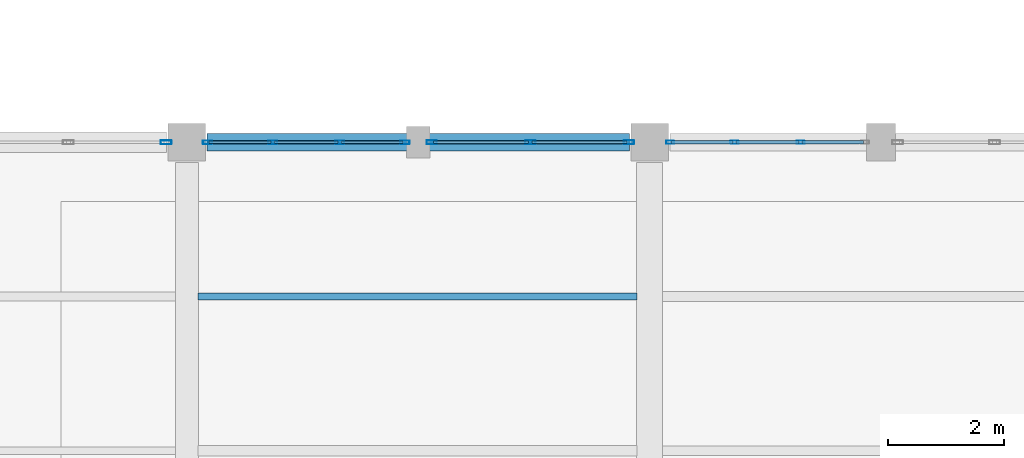
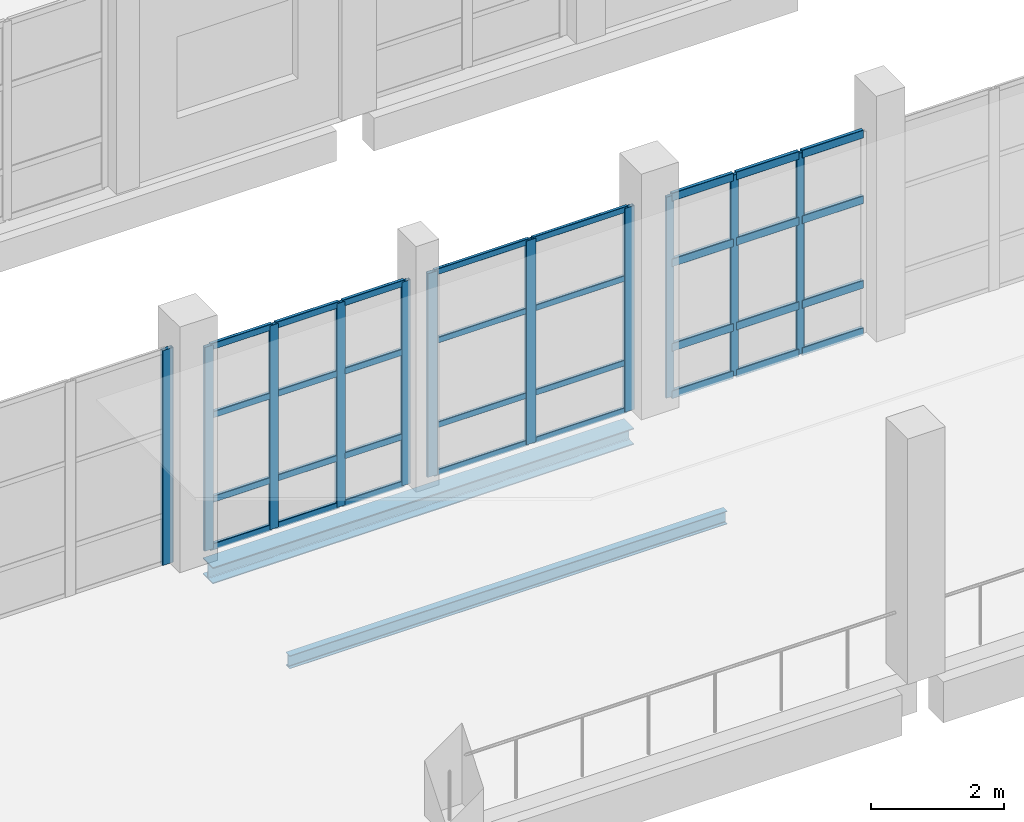
# One storey, part 24 of 183: 43 members, 2 beams, 4 elements without a shape of their own.
"""IFC4 building model written with IfcOpenShell, lengths in metres."""

from ifc_helpers import new_model, si_unit, direction, frame, origin, origin_2d, place, context, subcontext, project, spatial, hollow_rectangle, i_section, extrude, material, material_profile, profile_set, type_object, element, aggregate, save


model = new_model("IFC4")

# Units and contexts
model_context = context("Model", 3, precision=1e-05, world=origin(), true_north=direction((0.0, 1.0)))
body_context = subcontext(model_context, "Body", "Model", "MODEL_VIEW")
ifc_project = project(units=[si_unit("LENGTHUNIT", "METRE"), si_unit("AREAUNIT", "SQUARE_METRE"), si_unit("VOLUMEUNIT", "CUBIC_METRE"), si_unit("PLANEANGLEUNIT", "RADIAN"), si_unit("MASSUNIT", "GRAM", prefix="KILO")], contexts=[model_context])

# Site, building, storey
site_placement = place(None, origin())
site = spatial("IfcSite", under=ifc_project, at=site_placement, CompositionType="ELEMENT")
building_placement = place(site_placement, origin())
building = spatial("IfcBuilding", under=site, at=building_placement, Name="Luwemba Playhouse", CompositionType="ELEMENT")
storey_placement = place(building_placement, frame((0.0, 0.0, 4.800048828125)))
storey = spatial("IfcBuildingStorey", under=building, at=storey_placement, Name="L01", CompositionType="ELEMENT", Elevation=4.800048828125)

# Beams
ifc_material_1 = material(Name="Steel S355", Category="steel")
ifc_material_profile_1 = material_profile(ifc_material_1, i_section(OverallWidth=0.1201171875, OverallDepth=0.239990234375, WebThickness=0.006103515625, FlangeThickness=0.009765625, FilletRadius=0.014892578125, at=origin_2d()))
ifc_profile_set_1 = profile_set([ifc_material_profile_1], Name="Steel S355")
beam_type_1 = type_object("IfcBeamType", Name="BM-SJ03", PredefinedType="JOIST", material=ifc_profile_set_1)
beam_1_placement = place(storey_placement, frame((20.196044921875, 24.333251953125, -0.3701171875), z_axis=(1.0, 0.0, 0.0), x_axis=(0.0, 1.0, 0.0)))
element("IfcBeam", 1, at=beam_1_placement, inside=storey, type_object=beam_type_1, Name="L01 composite floor joist 0286", PredefinedType="JOIST", context=body_context, shape_type="SweptSolid", body=[
    extrude(i_section(OverallWidth=0.1201171875, OverallDepth=0.239990234375, WebThickness=0.006103515625, FlangeThickness=0.009765625, FilletRadius=0.014892578125, at=origin_2d()), origin(), (0.0, 0.0, 1.0), 7.5830078125),
])
ifc_material_profile_2 = material_profile(ifc_material_1, i_section(OverallWidth=0.300048828125, OverallDepth=0.300048828125, WebThickness=0.010986328125, FlangeThickness=0.01904296875, FilletRadius=0.027099609375, at=origin_2d()))
ifc_profile_set_2 = profile_set([ifc_material_profile_2], Name="Steel S355")
beam_type_2 = type_object("IfcBeamType", Name="BM-SSP1", PredefinedType="SPANDREL", material=ifc_profile_set_2)
beam_2_placement = place(storey_placement, frame((20.35009765625, 27.0, -0.400146484375), z_axis=(1.0, 0.0, 0.0), x_axis=(0.0, 1.0, 0.0)))
element("IfcBeam", 2, at=beam_2_placement, inside=storey, type_object=beam_type_2, Name="L01 grid girder 0491", PredefinedType="SPANDREL", context=body_context, shape_type="SweptSolid", body=[
    extrude(i_section(OverallWidth=0.300048828125, OverallDepth=0.300048828125, WebThickness=0.010986328125, FlangeThickness=0.01904296875, FilletRadius=0.027099609375, at=origin_2d()), origin(), (0.0, 0.0, 1.0), 7.2998046875),
])

# Curtain wall, members
ifc_material_2 = material(Name="Solar-control double glazing", Category="glass")
curtain_wall_type_1 = type_object("IfcCurtainWallType", Name="CW-CW95", PredefinedType="USERDEFINED", material=ifc_material_2)
curtain_wall_1_placement = place(storey_placement, origin())
curtain_wall_1 = element("IfcCurtainWall", 3, at=curtain_wall_1_placement, inside=storey, type_object=curtain_wall_type_1, Name="L01 V5W unitised curtain wall 126", ObjectType="UNITISED GLAZING", PredefinedType="USERDEFINED")
ifc_material_3 = material(Name="Aluminium 6063-T6", Category="aluminium")
ifc_material_profile_3 = material_profile(ifc_material_3, hollow_rectangle(XDim=0.06005859375, YDim=0.159912109375, WallThickness=0.00390625, InnerFilletRadius=0.006103515625, OuterFilletRadius=0.010009765625, at=origin_2d()))
ifc_profile_set_3 = profile_set([ifc_material_profile_3], Name="Aluminium 6063-T6")
member_type_1 = type_object("IfcMemberType", Name="CWM-M1", PredefinedType="MULLION", material=ifc_profile_set_3)
member_1_placement = place(storey_placement, frame((20.35498046875, 27.0, 0.0), z_axis=(0.0, 0.0, 1.0), x_axis=(0.0, 1.0, 0.0)))
member_1 = element("IfcMember", 4, at=member_1_placement, type_object=member_type_1, Name="CW95 mullion 1", PredefinedType="MULLION", context=body_context, shape_type="SweptSolid", body=[
    extrude(hollow_rectangle(XDim=0.06005859375, YDim=0.159912109375, WallThickness=0.00390625, InnerFilletRadius=0.006103515625, OuterFilletRadius=0.010009765625, at=origin_2d()), origin(), (0.0, 0.0, 1.0), 3.73486328125),
])
member_2_placement = place(storey_placement, frame((21.4833984375, 27.0, 0.0), z_axis=(0.0, 0.0, 1.0), x_axis=(0.0, 1.0, 0.0)))
member_2 = element("IfcMember", 5, at=member_2_placement, type_object=member_type_1, Name="CW95 mullion 2", PredefinedType="MULLION", context=body_context, shape_type="SweptSolid", body=[
    extrude(hollow_rectangle(XDim=0.06005859375, YDim=0.159912109375, WallThickness=0.00390625, InnerFilletRadius=0.006103515625, OuterFilletRadius=0.010009765625, at=origin_2d()), origin(), (0.0, 0.0, 1.0), 3.73486328125),
])
member_3_placement = place(storey_placement, frame((22.6416015625, 27.0, 0.0), z_axis=(0.0, 0.0, 1.0), x_axis=(0.0, 1.0, 0.0)))
member_3 = element("IfcMember", 6, at=member_3_placement, type_object=member_type_1, Name="CW95 mullion 3", PredefinedType="MULLION", context=body_context, shape_type="SweptSolid", body=[
    extrude(hollow_rectangle(XDim=0.06005859375, YDim=0.159912109375, WallThickness=0.00390625, InnerFilletRadius=0.006103515625, OuterFilletRadius=0.010009765625, at=origin_2d()), origin(), (0.0, 0.0, 1.0), 3.73486328125),
])
member_4_placement = place(storey_placement, frame((23.77001953125, 27.0, 0.0), z_axis=(0.0, 0.0, 1.0), x_axis=(0.0, 1.0, 0.0)))
member_4 = element("IfcMember", 7, at=member_4_placement, type_object=member_type_1, Name="CW95 mullion 4", PredefinedType="MULLION", context=body_context, shape_type="SweptSolid", body=[
    extrude(hollow_rectangle(XDim=0.06005859375, YDim=0.159912109375, WallThickness=0.00390625, InnerFilletRadius=0.006103515625, OuterFilletRadius=0.010009765625, at=origin_2d()), origin(), (0.0, 0.0, 1.0), 3.73486328125),
])

curtain_wall_type_2 = type_object("IfcCurtainWallType", Name="CW-CW96", PredefinedType="USERDEFINED", material=ifc_material_2)
curtain_wall_2_placement = place(storey_placement, origin())
curtain_wall_2 = element("IfcCurtainWall", 8, at=curtain_wall_2_placement, inside=storey, type_object=curtain_wall_type_2, Name="L01 V5W unitised curtain wall 127", ObjectType="UNITISED GLAZING", PredefinedType="USERDEFINED")
ifc_material_profile_4 = material_profile(ifc_material_3, hollow_rectangle(XDim=0.06494140625, YDim=0.179931640625, WallThickness=0.00439453125, InnerFilletRadius=0.0068359375, OuterFilletRadius=0.01123046875, at=origin_2d()))
ifc_profile_set_4 = profile_set([ifc_material_profile_4], Name="Aluminium 6063-T6")
member_type_2 = type_object("IfcMemberType", Name="CWM-M2", PredefinedType="MULLION", material=ifc_profile_set_4)
member_5_placement = place(storey_placement, frame((24.232421875, 27.0, 0.0), z_axis=(0.0, 0.0, 1.0), x_axis=(0.0, 1.0, 0.0)))
member_5 = element("IfcMember", 9, at=member_5_placement, type_object=member_type_2, Name="CW96 mullion 1", PredefinedType="MULLION", context=body_context, shape_type="SweptSolid", body=[
    extrude(hollow_rectangle(XDim=0.06494140625, YDim=0.179931640625, WallThickness=0.00439453125, InnerFilletRadius=0.0068359375, OuterFilletRadius=0.01123046875, at=origin_2d()), origin(), (0.0, 0.0, 1.0), 3.73486328125),
])
member_6_placement = place(storey_placement, frame((25.9375, 27.0, 0.0), z_axis=(0.0, 0.0, 1.0), x_axis=(0.0, 1.0, 0.0)))
member_6 = element("IfcMember", 10, at=member_6_placement, type_object=member_type_2, Name="CW96 mullion 2", PredefinedType="MULLION", context=body_context, shape_type="SweptSolid", body=[
    extrude(hollow_rectangle(XDim=0.06494140625, YDim=0.179931640625, WallThickness=0.00439453125, InnerFilletRadius=0.0068359375, OuterFilletRadius=0.01123046875, at=origin_2d()), origin(), (0.0, 0.0, 1.0), 3.73486328125),
])
member_7_placement = place(storey_placement, frame((27.642578125, 27.0, 0.0), z_axis=(0.0, 0.0, 1.0), x_axis=(0.0, 1.0, 0.0)))
member_7 = element("IfcMember", 11, at=member_7_placement, type_object=member_type_2, Name="CW96 mullion 3", PredefinedType="MULLION", context=body_context, shape_type="SweptSolid", body=[
    extrude(hollow_rectangle(XDim=0.06494140625, YDim=0.179931640625, WallThickness=0.00439453125, InnerFilletRadius=0.0068359375, OuterFilletRadius=0.01123046875, at=origin_2d()), origin(), (0.0, 0.0, 1.0), 3.73486328125),
])

curtain_wall_type_3 = type_object("IfcCurtainWallType", Name="CW-CW97", PredefinedType="USERDEFINED", material=ifc_material_2)
curtain_wall_3_placement = place(storey_placement, origin())
curtain_wall_3 = element("IfcCurtainWall", 12, at=curtain_wall_3_placement, inside=storey, type_object=curtain_wall_type_3, Name="L01 V5W unitised curtain wall 128", ObjectType="UNITISED GLAZING", PredefinedType="USERDEFINED")
ifc_material_profile_5 = material_profile(ifc_material_3, hollow_rectangle(XDim=0.054931640625, YDim=0.139892578125, WallThickness=0.00390625, InnerFilletRadius=0.006103515625, OuterFilletRadius=0.010009765625, at=origin_2d()))
ifc_profile_set_5 = profile_set([ifc_material_profile_5], Name="Aluminium 6063-T6")
member_type_3 = type_object("IfcMemberType", Name="CWM-M3", PredefinedType="MULLION", material=ifc_profile_set_5)
member_8_placement = place(storey_placement, frame((28.3525390625, 27.0, 0.0), z_axis=(0.0, 0.0, 1.0), x_axis=(0.0, 1.0, 0.0)))
member_8 = element("IfcMember", 13, at=member_8_placement, type_object=member_type_3, Name="CW97 mullion 1", PredefinedType="MULLION", context=body_context, shape_type="SweptSolid", body=[
    extrude(hollow_rectangle(XDim=0.054931640625, YDim=0.139892578125, WallThickness=0.00390625, InnerFilletRadius=0.006103515625, OuterFilletRadius=0.010009765625, at=origin_2d()), origin(), (0.0, 0.0, 1.0), 3.68505859375),
])
member_9_placement = place(storey_placement, frame((29.466552734375, 27.0, 0.0), z_axis=(0.0, 0.0, 1.0), x_axis=(0.0, 1.0, 0.0)))
member_9 = element("IfcMember", 14, at=member_9_placement, type_object=member_type_3, Name="CW97 mullion 2", PredefinedType="MULLION", context=body_context, shape_type="SweptSolid", body=[
    extrude(hollow_rectangle(XDim=0.054931640625, YDim=0.139892578125, WallThickness=0.00390625, InnerFilletRadius=0.006103515625, OuterFilletRadius=0.010009765625, at=origin_2d()), origin(), (0.0, 0.0, 1.0), 3.68505859375),
])
member_10_placement = place(storey_placement, frame((30.6083984375, 27.0, 0.0), z_axis=(0.0, 0.0, 1.0), x_axis=(0.0, 1.0, 0.0)))
member_10 = element("IfcMember", 15, at=member_10_placement, type_object=member_type_3, Name="CW97 mullion 3", PredefinedType="MULLION", context=body_context, shape_type="SweptSolid", body=[
    extrude(hollow_rectangle(XDim=0.054931640625, YDim=0.139892578125, WallThickness=0.00390625, InnerFilletRadius=0.006103515625, OuterFilletRadius=0.010009765625, at=origin_2d()), origin(), (0.0, 0.0, 1.0), 3.68505859375),
])

# Curtain wall, member
curtain_wall_type_4 = type_object("IfcCurtainWallType", Name="CW-CW63", PredefinedType="USERDEFINED", material=ifc_material_2)
curtain_wall_4_placement = place(storey_placement, origin())
curtain_wall_4 = element("IfcCurtainWall", 16, at=curtain_wall_4_placement, inside=storey, type_object=curtain_wall_type_4, Name="L01 V5W unitised curtain wall 125", ObjectType="UNITISED GLAZING", PredefinedType="USERDEFINED")
ifc_material_profile_6 = material_profile(ifc_material_3, hollow_rectangle(XDim=0.070068359375, YDim=0.18994140625, WallThickness=0.0048828125, InnerFilletRadius=0.007568359375, OuterFilletRadius=0.012451171875, at=origin_2d()))
ifc_profile_set_6 = profile_set([ifc_material_profile_6], Name="Aluminium 6063-T6")
member_type_4 = type_object("IfcMemberType", Name="CWM-M4", PredefinedType="MULLION", material=ifc_profile_set_6)
member_11_placement = place(storey_placement, frame((19.639892578125, 27.0, 0.0), z_axis=(0.0, 0.0, 1.0), x_axis=(0.0, 1.0, 0.0)))
member_11 = element("IfcMember", 17, at=member_11_placement, type_object=member_type_4, Name="CW63 mullion 3", PredefinedType="MULLION", context=body_context, shape_type="SweptSolid", body=[
    extrude(hollow_rectangle(XDim=0.070068359375, YDim=0.18994140625, WallThickness=0.0048828125, InnerFilletRadius=0.007568359375, OuterFilletRadius=0.012451171875, at=origin_2d()), origin(), (0.0, 0.0, 1.0), 3.93505859375),
])
aggregate(curtain_wall_4, [member_11])

# Member
ifc_material_profile_7 = material_profile(ifc_material_3, hollow_rectangle(XDim=0.06005859375, YDim=0.1201171875, WallThickness=0.00390625, InnerFilletRadius=0.006103515625, OuterFilletRadius=0.010009765625, at=origin_2d()))
ifc_profile_set_7 = profile_set([ifc_material_profile_7], Name="Aluminium 6063-T6")
member_type_5 = type_object("IfcMemberType", Name="CWT-T1", PredefinedType="USERDEFINED", material=ifc_profile_set_7)
member_12_placement = place(storey_placement, frame((20.385009765625, 27.0, 0.030029296875), z_axis=(1.0, 0.0, 0.0), x_axis=(0.0, 1.0, 0.0)))
member_12 = element("IfcMember", 18, at=member_12_placement, type_object=member_type_5, Name="CW95 transom 1.1", ObjectType="TRANSOM", PredefinedType="USERDEFINED", context=body_context, shape_type="SweptSolid", body=[
    extrude(hollow_rectangle(XDim=0.06005859375, YDim=0.1201171875, WallThickness=0.00390625, InnerFilletRadius=0.006103515625, OuterFilletRadius=0.010009765625, at=origin_2d()), origin(), (0.0, 0.0, 1.0), 1.068359375),
])

member_13_placement = place(storey_placement, frame((20.385009765625, 27.0, 0.89990234375), z_axis=(1.0, 0.0, 0.0), x_axis=(0.0, 1.0, 0.0)))
member_13 = element("IfcMember", 19, at=member_13_placement, type_object=member_type_5, Name="CW95 transom 1.2", ObjectType="TRANSOM", PredefinedType="USERDEFINED", context=body_context, shape_type="SweptSolid", body=[
    extrude(hollow_rectangle(XDim=0.06005859375, YDim=0.1201171875, WallThickness=0.00390625, InnerFilletRadius=0.006103515625, OuterFilletRadius=0.010009765625, at=origin_2d()), origin(), (0.0, 0.0, 1.0), 1.068359375),
])

member_14_placement = place(storey_placement, frame((20.385009765625, 27.0, 2.449951171875), z_axis=(1.0, 0.0, 0.0), x_axis=(0.0, 1.0, 0.0)))
member_14 = element("IfcMember", 20, at=member_14_placement, type_object=member_type_5, Name="CW95 transom 1.3", ObjectType="TRANSOM", PredefinedType="USERDEFINED", context=body_context, shape_type="SweptSolid", body=[
    extrude(hollow_rectangle(XDim=0.06005859375, YDim=0.1201171875, WallThickness=0.00390625, InnerFilletRadius=0.006103515625, OuterFilletRadius=0.010009765625, at=origin_2d()), origin(), (0.0, 0.0, 1.0), 1.068359375),
])

member_15_placement = place(storey_placement, frame((20.385009765625, 27.0, 3.704833984375), z_axis=(1.0, 0.0, 0.0), x_axis=(0.0, 1.0, 0.0)))
member_15 = element("IfcMember", 21, at=member_15_placement, type_object=member_type_5, Name="CW95 transom 1.4", ObjectType="TRANSOM", PredefinedType="USERDEFINED", context=body_context, shape_type="SweptSolid", body=[
    extrude(hollow_rectangle(XDim=0.06005859375, YDim=0.1201171875, WallThickness=0.00390625, InnerFilletRadius=0.006103515625, OuterFilletRadius=0.010009765625, at=origin_2d()), origin(), (0.0, 0.0, 1.0), 1.068359375),
])

member_16_placement = place(storey_placement, frame((21.513427734375, 27.0, 0.030029296875), z_axis=(1.0, 0.0, 0.0), x_axis=(0.0, 1.0, 0.0)))
member_16 = element("IfcMember", 22, at=member_16_placement, type_object=member_type_5, Name="CW95 transom 2.1", ObjectType="TRANSOM", PredefinedType="USERDEFINED", context=body_context, shape_type="SweptSolid", body=[
    extrude(hollow_rectangle(XDim=0.06005859375, YDim=0.1201171875, WallThickness=0.00390625, InnerFilletRadius=0.006103515625, OuterFilletRadius=0.010009765625, at=origin_2d()), origin(), (0.0, 0.0, 1.0), 1.09814453125),
])

member_17_placement = place(storey_placement, frame((21.513427734375, 27.0, 0.89990234375), z_axis=(1.0, 0.0, 0.0), x_axis=(0.0, 1.0, 0.0)))
member_17 = element("IfcMember", 23, at=member_17_placement, type_object=member_type_5, Name="CW95 transom 2.2", ObjectType="TRANSOM", PredefinedType="USERDEFINED", context=body_context, shape_type="SweptSolid", body=[
    extrude(hollow_rectangle(XDim=0.06005859375, YDim=0.1201171875, WallThickness=0.00390625, InnerFilletRadius=0.006103515625, OuterFilletRadius=0.010009765625, at=origin_2d()), origin(), (0.0, 0.0, 1.0), 1.09814453125),
])

member_18_placement = place(storey_placement, frame((21.513427734375, 27.0, 2.449951171875), z_axis=(1.0, 0.0, 0.0), x_axis=(0.0, 1.0, 0.0)))
member_18 = element("IfcMember", 24, at=member_18_placement, type_object=member_type_5, Name="CW95 transom 2.3", ObjectType="TRANSOM", PredefinedType="USERDEFINED", context=body_context, shape_type="SweptSolid", body=[
    extrude(hollow_rectangle(XDim=0.06005859375, YDim=0.1201171875, WallThickness=0.00390625, InnerFilletRadius=0.006103515625, OuterFilletRadius=0.010009765625, at=origin_2d()), origin(), (0.0, 0.0, 1.0), 1.09814453125),
])

member_19_placement = place(storey_placement, frame((21.513427734375, 27.0, 3.704833984375), z_axis=(1.0, 0.0, 0.0), x_axis=(0.0, 1.0, 0.0)))
member_19 = element("IfcMember", 25, at=member_19_placement, type_object=member_type_5, Name="CW95 transom 2.4", ObjectType="TRANSOM", PredefinedType="USERDEFINED", context=body_context, shape_type="SweptSolid", body=[
    extrude(hollow_rectangle(XDim=0.06005859375, YDim=0.1201171875, WallThickness=0.00390625, InnerFilletRadius=0.006103515625, OuterFilletRadius=0.010009765625, at=origin_2d()), origin(), (0.0, 0.0, 1.0), 1.09814453125),
])

member_20_placement = place(storey_placement, frame((22.671630859375, 27.0, 0.030029296875), z_axis=(1.0, 0.0, 0.0), x_axis=(0.0, 1.0, 0.0)))
member_20 = element("IfcMember", 26, at=member_20_placement, type_object=member_type_5, Name="CW95 transom 3.1", ObjectType="TRANSOM", PredefinedType="USERDEFINED", context=body_context, shape_type="SweptSolid", body=[
    extrude(hollow_rectangle(XDim=0.06005859375, YDim=0.1201171875, WallThickness=0.00390625, InnerFilletRadius=0.006103515625, OuterFilletRadius=0.010009765625, at=origin_2d()), origin(), (0.0, 0.0, 1.0), 1.068359375),
])

member_21_placement = place(storey_placement, frame((22.671630859375, 27.0, 0.89990234375), z_axis=(1.0, 0.0, 0.0), x_axis=(0.0, 1.0, 0.0)))
member_21 = element("IfcMember", 27, at=member_21_placement, type_object=member_type_5, Name="CW95 transom 3.2", ObjectType="TRANSOM", PredefinedType="USERDEFINED", context=body_context, shape_type="SweptSolid", body=[
    extrude(hollow_rectangle(XDim=0.06005859375, YDim=0.1201171875, WallThickness=0.00390625, InnerFilletRadius=0.006103515625, OuterFilletRadius=0.010009765625, at=origin_2d()), origin(), (0.0, 0.0, 1.0), 1.068359375),
])

member_22_placement = place(storey_placement, frame((22.671630859375, 27.0, 2.449951171875), z_axis=(1.0, 0.0, 0.0), x_axis=(0.0, 1.0, 0.0)))
member_22 = element("IfcMember", 28, at=member_22_placement, type_object=member_type_5, Name="CW95 transom 3.3", ObjectType="TRANSOM", PredefinedType="USERDEFINED", context=body_context, shape_type="SweptSolid", body=[
    extrude(hollow_rectangle(XDim=0.06005859375, YDim=0.1201171875, WallThickness=0.00390625, InnerFilletRadius=0.006103515625, OuterFilletRadius=0.010009765625, at=origin_2d()), origin(), (0.0, 0.0, 1.0), 1.068359375),
])

member_23_placement = place(storey_placement, frame((22.671630859375, 27.0, 3.704833984375), z_axis=(1.0, 0.0, 0.0), x_axis=(0.0, 1.0, 0.0)))
member_23 = element("IfcMember", 29, at=member_23_placement, type_object=member_type_5, Name="CW95 transom 3.4", ObjectType="TRANSOM", PredefinedType="USERDEFINED", context=body_context, shape_type="SweptSolid", body=[
    extrude(hollow_rectangle(XDim=0.06005859375, YDim=0.1201171875, WallThickness=0.00390625, InnerFilletRadius=0.006103515625, OuterFilletRadius=0.010009765625, at=origin_2d()), origin(), (0.0, 0.0, 1.0), 1.068359375),
])

aggregate(curtain_wall_1, [member_1, member_2, member_3, member_4, member_12, member_13, member_14, member_15, member_16, member_17, member_18, member_19, member_20, member_21, member_22, member_23])

ifc_material_profile_8 = material_profile(ifc_material_3, hollow_rectangle(XDim=0.054931640625, YDim=0.110107421875, WallThickness=0.00341796875, InnerFilletRadius=0.00537109375, OuterFilletRadius=0.0087890625, at=origin_2d()))
ifc_profile_set_8 = profile_set([ifc_material_profile_8], Name="Aluminium 6063-T6")
member_type_6 = type_object("IfcMemberType", Name="CWT-T2", PredefinedType="USERDEFINED", material=ifc_profile_set_8)
member_24_placement = place(storey_placement, frame((24.264892578125, 27.0, 0.02734375), z_axis=(1.0, 0.0, 0.0), x_axis=(0.0, 1.0, 0.0)))
member_24 = element("IfcMember", 30, at=member_24_placement, type_object=member_type_6, Name="CW96 transom 1.1", ObjectType="TRANSOM", PredefinedType="USERDEFINED", context=body_context, shape_type="SweptSolid", body=[
    extrude(hollow_rectangle(XDim=0.054931640625, YDim=0.110107421875, WallThickness=0.00341796875, InnerFilletRadius=0.00537109375, OuterFilletRadius=0.0087890625, at=origin_2d()), origin(), (0.0, 0.0, 1.0), 1.64013671875),
])

member_25_placement = place(storey_placement, frame((24.264892578125, 27.0, 0.89990234375), z_axis=(1.0, 0.0, 0.0), x_axis=(0.0, 1.0, 0.0)))
member_25 = element("IfcMember", 31, at=member_25_placement, type_object=member_type_6, Name="CW96 transom 1.2", ObjectType="TRANSOM", PredefinedType="USERDEFINED", context=body_context, shape_type="SweptSolid", body=[
    extrude(hollow_rectangle(XDim=0.054931640625, YDim=0.110107421875, WallThickness=0.00341796875, InnerFilletRadius=0.00537109375, OuterFilletRadius=0.0087890625, at=origin_2d()), origin(), (0.0, 0.0, 1.0), 1.64013671875),
])

member_26_placement = place(storey_placement, frame((24.264892578125, 27.0, 2.449951171875), z_axis=(1.0, 0.0, 0.0), x_axis=(0.0, 1.0, 0.0)))
member_26 = element("IfcMember", 32, at=member_26_placement, type_object=member_type_6, Name="CW96 transom 1.3", ObjectType="TRANSOM", PredefinedType="USERDEFINED", context=body_context, shape_type="SweptSolid", body=[
    extrude(hollow_rectangle(XDim=0.054931640625, YDim=0.110107421875, WallThickness=0.00341796875, InnerFilletRadius=0.00537109375, OuterFilletRadius=0.0087890625, at=origin_2d()), origin(), (0.0, 0.0, 1.0), 1.64013671875),
])

member_27_placement = place(storey_placement, frame((24.264892578125, 27.0, 3.70751953125), z_axis=(1.0, 0.0, 0.0), x_axis=(0.0, 1.0, 0.0)))
member_27 = element("IfcMember", 33, at=member_27_placement, type_object=member_type_6, Name="CW96 transom 1.4", ObjectType="TRANSOM", PredefinedType="USERDEFINED", context=body_context, shape_type="SweptSolid", body=[
    extrude(hollow_rectangle(XDim=0.054931640625, YDim=0.110107421875, WallThickness=0.00341796875, InnerFilletRadius=0.00537109375, OuterFilletRadius=0.0087890625, at=origin_2d()), origin(), (0.0, 0.0, 1.0), 1.64013671875),
])

member_28_placement = place(storey_placement, frame((25.969970703125, 27.0, 0.02734375), z_axis=(1.0, 0.0, 0.0), x_axis=(0.0, 1.0, 0.0)))
member_28 = element("IfcMember", 34, at=member_28_placement, type_object=member_type_6, Name="CW96 transom 2.1", ObjectType="TRANSOM", PredefinedType="USERDEFINED", context=body_context, shape_type="SweptSolid", body=[
    extrude(hollow_rectangle(XDim=0.054931640625, YDim=0.110107421875, WallThickness=0.00341796875, InnerFilletRadius=0.00537109375, OuterFilletRadius=0.0087890625, at=origin_2d()), origin(), (0.0, 0.0, 1.0), 1.64013671875),
])

member_29_placement = place(storey_placement, frame((25.969970703125, 27.0, 0.89990234375), z_axis=(1.0, 0.0, 0.0), x_axis=(0.0, 1.0, 0.0)))
member_29 = element("IfcMember", 35, at=member_29_placement, type_object=member_type_6, Name="CW96 transom 2.2", ObjectType="TRANSOM", PredefinedType="USERDEFINED", context=body_context, shape_type="SweptSolid", body=[
    extrude(hollow_rectangle(XDim=0.054931640625, YDim=0.110107421875, WallThickness=0.00341796875, InnerFilletRadius=0.00537109375, OuterFilletRadius=0.0087890625, at=origin_2d()), origin(), (0.0, 0.0, 1.0), 1.64013671875),
])

member_30_placement = place(storey_placement, frame((25.969970703125, 27.0, 2.449951171875), z_axis=(1.0, 0.0, 0.0), x_axis=(0.0, 1.0, 0.0)))
member_30 = element("IfcMember", 36, at=member_30_placement, type_object=member_type_6, Name="CW96 transom 2.3", ObjectType="TRANSOM", PredefinedType="USERDEFINED", context=body_context, shape_type="SweptSolid", body=[
    extrude(hollow_rectangle(XDim=0.054931640625, YDim=0.110107421875, WallThickness=0.00341796875, InnerFilletRadius=0.00537109375, OuterFilletRadius=0.0087890625, at=origin_2d()), origin(), (0.0, 0.0, 1.0), 1.64013671875),
])

member_31_placement = place(storey_placement, frame((25.969970703125, 27.0, 3.70751953125), z_axis=(1.0, 0.0, 0.0), x_axis=(0.0, 1.0, 0.0)))
member_31 = element("IfcMember", 37, at=member_31_placement, type_object=member_type_6, Name="CW96 transom 2.4", ObjectType="TRANSOM", PredefinedType="USERDEFINED", context=body_context, shape_type="SweptSolid", body=[
    extrude(hollow_rectangle(XDim=0.054931640625, YDim=0.110107421875, WallThickness=0.00341796875, InnerFilletRadius=0.00537109375, OuterFilletRadius=0.0087890625, at=origin_2d()), origin(), (0.0, 0.0, 1.0), 1.64013671875),
])

aggregate(curtain_wall_2, [member_5, member_6, member_7, member_24, member_25, member_26, member_27, member_28, member_29, member_30, member_31])

ifc_material_profile_9 = material_profile(ifc_material_3, hollow_rectangle(XDim=0.06494140625, YDim=0.14990234375, WallThickness=0.00390625, InnerFilletRadius=0.006103515625, OuterFilletRadius=0.010009765625, at=origin_2d()))
ifc_profile_set_9 = profile_set([ifc_material_profile_9], Name="Aluminium 6063-T6")
member_type_7 = type_object("IfcMemberType", Name="CWT-T3", PredefinedType="USERDEFINED", material=ifc_profile_set_9)
member_32_placement = place(storey_placement, frame((28.3798828125, 27.0, 0.032470703125), z_axis=(1.0, 0.0, 0.0), x_axis=(0.0, 1.0, 0.0)))
member_32 = element("IfcMember", 38, at=member_32_placement, type_object=member_type_7, Name="CW97 transom 1.1", ObjectType="TRANSOM", PredefinedType="USERDEFINED", context=body_context, shape_type="SweptSolid", body=[
    extrude(hollow_rectangle(XDim=0.06494140625, YDim=0.14990234375, WallThickness=0.00390625, InnerFilletRadius=0.006103515625, OuterFilletRadius=0.010009765625, at=origin_2d()), origin(), (0.0, 0.0, 1.0), 1.059326171875),
])

member_33_placement = place(storey_placement, frame((28.3798828125, 27.0, 0.89990234375), z_axis=(1.0, 0.0, 0.0), x_axis=(0.0, 1.0, 0.0)))
member_33 = element("IfcMember", 39, at=member_33_placement, type_object=member_type_7, Name="CW97 transom 1.2", ObjectType="TRANSOM", PredefinedType="USERDEFINED", context=body_context, shape_type="SweptSolid", body=[
    extrude(hollow_rectangle(XDim=0.06494140625, YDim=0.14990234375, WallThickness=0.00390625, InnerFilletRadius=0.006103515625, OuterFilletRadius=0.010009765625, at=origin_2d()), origin(), (0.0, 0.0, 1.0), 1.059326171875),
])

member_34_placement = place(storey_placement, frame((28.3798828125, 27.0, 2.449951171875), z_axis=(1.0, 0.0, 0.0), x_axis=(0.0, 1.0, 0.0)))
member_34 = element("IfcMember", 40, at=member_34_placement, type_object=member_type_7, Name="CW97 transom 1.3", ObjectType="TRANSOM", PredefinedType="USERDEFINED", context=body_context, shape_type="SweptSolid", body=[
    extrude(hollow_rectangle(XDim=0.06494140625, YDim=0.14990234375, WallThickness=0.00390625, InnerFilletRadius=0.006103515625, OuterFilletRadius=0.010009765625, at=origin_2d()), origin(), (0.0, 0.0, 1.0), 1.059326171875),
])

member_35_placement = place(storey_placement, frame((28.3798828125, 27.0, 3.65234375), z_axis=(1.0, 0.0, 0.0), x_axis=(0.0, 1.0, 0.0)))
member_35 = element("IfcMember", 41, at=member_35_placement, type_object=member_type_7, Name="CW97 transom 1.4", ObjectType="TRANSOM", PredefinedType="USERDEFINED", context=body_context, shape_type="SweptSolid", body=[
    extrude(hollow_rectangle(XDim=0.06494140625, YDim=0.14990234375, WallThickness=0.00390625, InnerFilletRadius=0.006103515625, OuterFilletRadius=0.010009765625, at=origin_2d()), origin(), (0.0, 0.0, 1.0), 1.059326171875),
])

member_36_placement = place(storey_placement, frame((29.494140625, 27.0, 0.032470703125), z_axis=(1.0, 0.0, 0.0), x_axis=(0.0, 1.0, 0.0)))
member_36 = element("IfcMember", 42, at=member_36_placement, type_object=member_type_7, Name="CW97 transom 2.1", ObjectType="TRANSOM", PredefinedType="USERDEFINED", context=body_context, shape_type="SweptSolid", body=[
    extrude(hollow_rectangle(XDim=0.06494140625, YDim=0.14990234375, WallThickness=0.00390625, InnerFilletRadius=0.006103515625, OuterFilletRadius=0.010009765625, at=origin_2d()), origin(), (0.0, 0.0, 1.0), 1.086669921875),
])

member_37_placement = place(storey_placement, frame((29.494140625, 27.0, 0.89990234375), z_axis=(1.0, 0.0, 0.0), x_axis=(0.0, 1.0, 0.0)))
member_37 = element("IfcMember", 43, at=member_37_placement, type_object=member_type_7, Name="CW97 transom 2.2", ObjectType="TRANSOM", PredefinedType="USERDEFINED", context=body_context, shape_type="SweptSolid", body=[
    extrude(hollow_rectangle(XDim=0.06494140625, YDim=0.14990234375, WallThickness=0.00390625, InnerFilletRadius=0.006103515625, OuterFilletRadius=0.010009765625, at=origin_2d()), origin(), (0.0, 0.0, 1.0), 1.086669921875),
])

member_38_placement = place(storey_placement, frame((29.494140625, 27.0, 2.449951171875), z_axis=(1.0, 0.0, 0.0), x_axis=(0.0, 1.0, 0.0)))
member_38 = element("IfcMember", 44, at=member_38_placement, type_object=member_type_7, Name="CW97 transom 2.3", ObjectType="TRANSOM", PredefinedType="USERDEFINED", context=body_context, shape_type="SweptSolid", body=[
    extrude(hollow_rectangle(XDim=0.06494140625, YDim=0.14990234375, WallThickness=0.00390625, InnerFilletRadius=0.006103515625, OuterFilletRadius=0.010009765625, at=origin_2d()), origin(), (0.0, 0.0, 1.0), 1.086669921875),
])

member_39_placement = place(storey_placement, frame((29.494140625, 27.0, 3.65234375), z_axis=(1.0, 0.0, 0.0), x_axis=(0.0, 1.0, 0.0)))
member_39 = element("IfcMember", 45, at=member_39_placement, type_object=member_type_7, Name="CW97 transom 2.4", ObjectType="TRANSOM", PredefinedType="USERDEFINED", context=body_context, shape_type="SweptSolid", body=[
    extrude(hollow_rectangle(XDim=0.06494140625, YDim=0.14990234375, WallThickness=0.00390625, InnerFilletRadius=0.006103515625, OuterFilletRadius=0.010009765625, at=origin_2d()), origin(), (0.0, 0.0, 1.0), 1.086669921875),
])

member_40_placement = place(storey_placement, frame((30.6357421875, 27.0, 0.032470703125), z_axis=(1.0, 0.0, 0.0), x_axis=(0.0, 1.0, 0.0)))
member_40 = element("IfcMember", 46, at=member_40_placement, type_object=member_type_7, Name="CW97 transom 3.1", ObjectType="TRANSOM", PredefinedType="USERDEFINED", context=body_context, shape_type="SweptSolid", body=[
    extrude(hollow_rectangle(XDim=0.06494140625, YDim=0.14990234375, WallThickness=0.00390625, InnerFilletRadius=0.006103515625, OuterFilletRadius=0.010009765625, at=origin_2d()), origin(), (0.0, 0.0, 1.0), 1.059326171875),
])

member_41_placement = place(storey_placement, frame((30.6357421875, 27.0, 0.89990234375), z_axis=(1.0, 0.0, 0.0), x_axis=(0.0, 1.0, 0.0)))
member_41 = element("IfcMember", 47, at=member_41_placement, type_object=member_type_7, Name="CW97 transom 3.2", ObjectType="TRANSOM", PredefinedType="USERDEFINED", context=body_context, shape_type="SweptSolid", body=[
    extrude(hollow_rectangle(XDim=0.06494140625, YDim=0.14990234375, WallThickness=0.00390625, InnerFilletRadius=0.006103515625, OuterFilletRadius=0.010009765625, at=origin_2d()), origin(), (0.0, 0.0, 1.0), 1.059326171875),
])

member_42_placement = place(storey_placement, frame((30.6357421875, 27.0, 2.449951171875), z_axis=(1.0, 0.0, 0.0), x_axis=(0.0, 1.0, 0.0)))
member_42 = element("IfcMember", 48, at=member_42_placement, type_object=member_type_7, Name="CW97 transom 3.3", ObjectType="TRANSOM", PredefinedType="USERDEFINED", context=body_context, shape_type="SweptSolid", body=[
    extrude(hollow_rectangle(XDim=0.06494140625, YDim=0.14990234375, WallThickness=0.00390625, InnerFilletRadius=0.006103515625, OuterFilletRadius=0.010009765625, at=origin_2d()), origin(), (0.0, 0.0, 1.0), 1.059326171875),
])

member_43_placement = place(storey_placement, frame((30.6357421875, 27.0, 3.65234375), z_axis=(1.0, 0.0, 0.0), x_axis=(0.0, 1.0, 0.0)))
member_43 = element("IfcMember", 49, at=member_43_placement, type_object=member_type_7, Name="CW97 transom 3.4", ObjectType="TRANSOM", PredefinedType="USERDEFINED", context=body_context, shape_type="SweptSolid", body=[
    extrude(hollow_rectangle(XDim=0.06494140625, YDim=0.14990234375, WallThickness=0.00390625, InnerFilletRadius=0.006103515625, OuterFilletRadius=0.010009765625, at=origin_2d()), origin(), (0.0, 0.0, 1.0), 1.059326171875),
])

aggregate(curtain_wall_3, [member_8, member_9, member_10, member_32, member_33, member_34, member_35, member_36, member_37, member_38, member_39, member_40, member_41, member_42, member_43])

save(model, "model.ifc")
